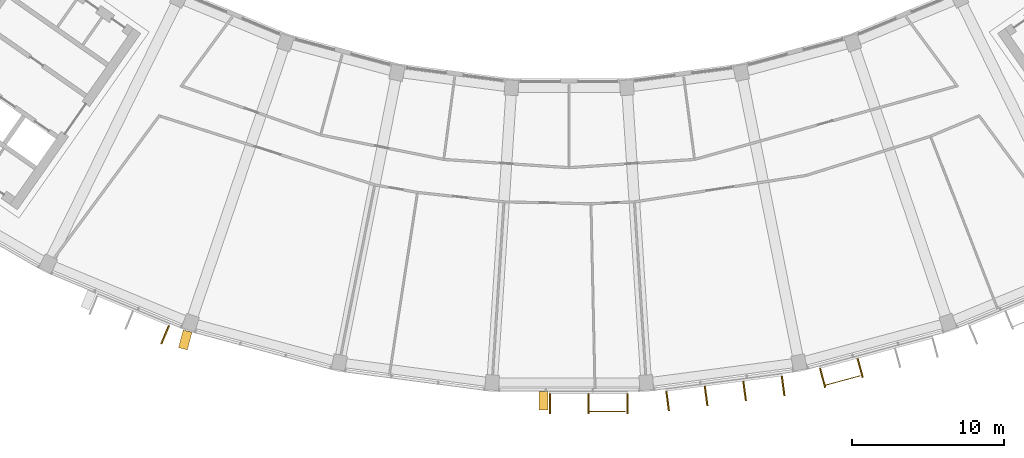
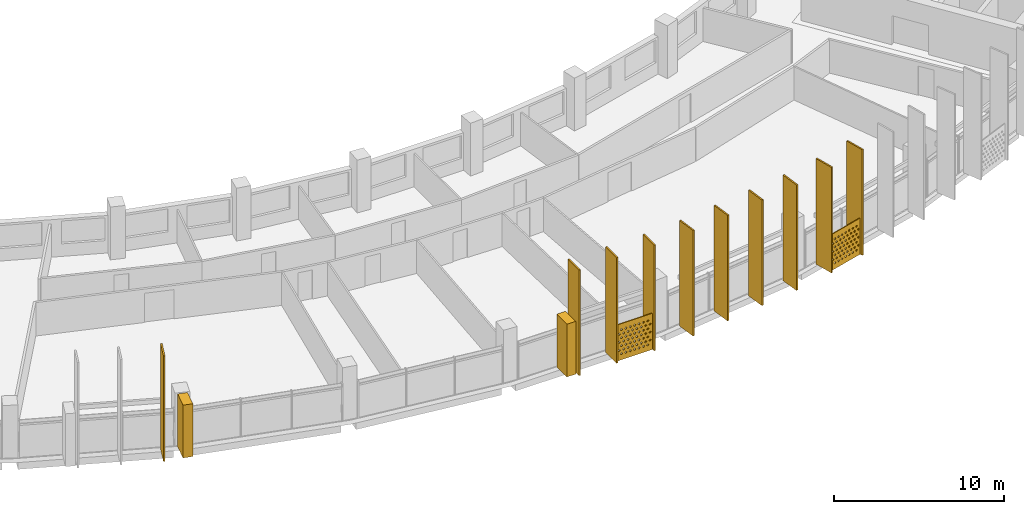
# One storey, part 25 of 28: 14 shading devices.
"""IFC4 building model written with IfcOpenShell, lengths in metres."""

from ifc_helpers import new_model, si_unit, direction, frame, origin, origin_2d, place, context, subcontext, project, spatial, polyline, rectangle, outline, extrude, material, material_profile, profile_set, type_object, element, save


model = new_model("IFC4")

# Units and contexts
model_context = context("Model", 3, precision=1e-05, world=origin(), true_north=direction((0.0, 1.0)))
body_context = subcontext(model_context, "Body", "Model", "MODEL_VIEW")
ifc_project = project(units=[si_unit("LENGTHUNIT", "METRE"), si_unit("AREAUNIT", "SQUARE_METRE"), si_unit("VOLUMEUNIT", "CUBIC_METRE"), si_unit("PLANEANGLEUNIT", "RADIAN"), si_unit("MASSUNIT", "GRAM", prefix="KILO")], contexts=[model_context])

# Site, building, storey
site_placement = place(None, origin())
site = spatial("IfcSite", under=ifc_project, at=site_placement, CompositionType="ELEMENT")
building_placement = place(site_placement, origin())
building = spatial("IfcBuilding", under=site, at=building_placement, Name="Qamariyya Broadcast Tower", CompositionType="ELEMENT")
storey_placement = place(building_placement, frame((0.0, 0.0, 273.300048828125)))
storey = spatial("IfcBuildingStorey", under=building, at=storey_placement, Name="L66", CompositionType="ELEMENT", Elevation=273.300048828125)

# Shading devices
ifc_material_1 = material(Name="Steel S355 powder coated deep red", Category="steel")
shading_device_type_1 = type_object("IfcShadingDeviceType", Name="Deep red frame, powder coated steel box section", PredefinedType="USERDEFINED", material=ifc_material_1)
shading_device_1_placement = place(storey_placement, origin())
element("IfcShadingDevice", 1, at=shading_device_1_placement, inside=storey, type_object=shading_device_type_1, Name="e-frm-B5-F3-posta-L66", ObjectType="FRAME", PredefinedType="USERDEFINED", context=body_context, shape_type="SweptSolid", body=[
    extrude(outline(polyline([(-25.474609375, -74.1142578125), (-25.78515625, -75.2734375), (-25.20556640625, -75.4287109375), (-24.89501953125, -74.26953125), (-25.474609375, -74.1142578125)])), origin(), (0.0, 0.0, 1.0), 3.800048828125),
])
shading_device_2_placement = place(storey_placement, origin())
element("IfcShadingDevice", 2, at=shading_device_2_placement, inside=storey, type_object=shading_device_type_1, Name="e-frm-B5-F3-postb-L66", ObjectType="FRAME", PredefinedType="USERDEFINED", context=body_context, shape_type="SweptSolid", body=[
    extrude(outline(polyline([(-2.008056640625, -78.18212890625), (-2.008056640625, -79.38232421875), (-1.408203125, -79.38232421875), (-1.408203125, -78.18212890625), (-2.008056640625, -78.18212890625)])), origin(), (0.0, 0.0, 1.0), 3.800048828125),
])
ifc_material_2 = material(Name="Perforated glazed terracotta", Category="masonry")
ifc_material_profile_1 = material_profile(ifc_material_2, outline(polyline([(-1.199951171875, -1.300048828125), (1.199951171875, -1.300048828125), (1.199951171875, 1.300048828125), (-1.199951171875, 1.300048828125), (-1.199951171875, -1.300048828125)]), holes=[polyline([(-0.81494140625, -0.86669921875), (-0.89990234375, -0.78173828125), (-0.985107421875, -0.86669921875), (-0.89990234375, -0.95166015625), (-0.81494140625, -0.86669921875)]), polyline([(-0.514892578125, -0.86669921875), (-0.60009765625, -0.78173828125), (-0.68505859375, -0.86669921875), (-0.60009765625, -0.95166015625), (-0.514892578125, -0.86669921875)]), polyline([(-0.215087890625, -0.86669921875), (-0.300048828125, -0.78173828125), (-0.385009765625, -0.86669921875), (-0.300048828125, -0.95166015625), (-0.215087890625, -0.86669921875)]), polyline([(0.0849609375, -0.86669921875), (0.0, -0.78173828125), (-0.0849609375, -0.86669921875), (0.0, -0.95166015625), (0.0849609375, -0.86669921875)]), polyline([(0.385009765625, -0.86669921875), (0.300048828125, -0.78173828125), (0.215087890625, -0.86669921875), (0.300048828125, -0.95166015625), (0.385009765625, -0.86669921875)]), polyline([(0.68505859375, -0.86669921875), (0.60009765625, -0.78173828125), (0.514892578125, -0.86669921875), (0.60009765625, -0.95166015625), (0.68505859375, -0.86669921875)]), polyline([(0.985107421875, -0.86669921875), (0.89990234375, -0.78173828125), (0.81494140625, -0.86669921875), (0.89990234375, -0.95166015625), (0.985107421875, -0.86669921875)]), polyline([(-0.965087890625, -0.577880859375), (-1.050048828125, -0.49267578125), (-1.135009765625, -0.577880859375), (-1.050048828125, -0.662841796875), (-0.965087890625, -0.577880859375)]), polyline([(-0.6650390625, -0.577880859375), (-0.75, -0.49267578125), (-0.8349609375, -0.577880859375), (-0.75, -0.662841796875), (-0.6650390625, -0.577880859375)]), polyline([(-0.364990234375, -0.577880859375), (-0.449951171875, -0.49267578125), (-0.534912109375, -0.577880859375), (-0.449951171875, -0.662841796875), (-0.364990234375, -0.577880859375)]), polyline([(-0.06494140625, -0.577880859375), (-0.14990234375, -0.49267578125), (-0.235107421875, -0.577880859375), (-0.14990234375, -0.662841796875), (-0.06494140625, -0.577880859375)]), polyline([(0.235107421875, -0.577880859375), (0.14990234375, -0.49267578125), (0.06494140625, -0.577880859375), (0.14990234375, -0.662841796875), (0.235107421875, -0.577880859375)]), polyline([(0.534912109375, -0.577880859375), (0.449951171875, -0.49267578125), (0.364990234375, -0.577880859375), (0.449951171875, -0.662841796875), (0.534912109375, -0.577880859375)]), polyline([(0.8349609375, -0.577880859375), (0.75, -0.49267578125), (0.6650390625, -0.577880859375), (0.75, -0.662841796875), (0.8349609375, -0.577880859375)]), polyline([(1.135009765625, -0.577880859375), (1.050048828125, -0.49267578125), (0.965087890625, -0.577880859375), (1.050048828125, -0.662841796875), (1.135009765625, -0.577880859375)]), polyline([(-0.81494140625, -0.288818359375), (-0.89990234375, -0.203857421875), (-0.985107421875, -0.288818359375), (-0.89990234375, -0.373779296875), (-0.81494140625, -0.288818359375)]), polyline([(-0.514892578125, -0.288818359375), (-0.60009765625, -0.203857421875), (-0.68505859375, -0.288818359375), (-0.60009765625, -0.373779296875), (-0.514892578125, -0.288818359375)]), polyline([(-0.215087890625, -0.288818359375), (-0.300048828125, -0.203857421875), (-0.385009765625, -0.288818359375), (-0.300048828125, -0.373779296875), (-0.215087890625, -0.288818359375)]), polyline([(0.0849609375, -0.288818359375), (0.0, -0.203857421875), (-0.0849609375, -0.288818359375), (0.0, -0.373779296875), (0.0849609375, -0.288818359375)]), polyline([(0.385009765625, -0.288818359375), (0.300048828125, -0.203857421875), (0.215087890625, -0.288818359375), (0.300048828125, -0.373779296875), (0.385009765625, -0.288818359375)]), polyline([(0.68505859375, -0.288818359375), (0.60009765625, -0.203857421875), (0.514892578125, -0.288818359375), (0.60009765625, -0.373779296875), (0.68505859375, -0.288818359375)]), polyline([(0.985107421875, -0.288818359375), (0.89990234375, -0.203857421875), (0.81494140625, -0.288818359375), (0.89990234375, -0.373779296875), (0.985107421875, -0.288818359375)]), polyline([(-0.965087890625, 0.0), (-1.050048828125, 0.0849609375), (-1.135009765625, 0.0), (-1.050048828125, -0.0849609375), (-0.965087890625, 0.0)]), polyline([(-0.6650390625, 0.0), (-0.75, 0.0849609375), (-0.8349609375, 0.0), (-0.75, -0.0849609375), (-0.6650390625, 0.0)]), polyline([(-0.364990234375, 0.0), (-0.449951171875, 0.0849609375), (-0.534912109375, 0.0), (-0.449951171875, -0.0849609375), (-0.364990234375, 0.0)]), polyline([(-0.06494140625, 0.0), (-0.14990234375, 0.0849609375), (-0.235107421875, 0.0), (-0.14990234375, -0.0849609375), (-0.06494140625, 0.0)]), polyline([(0.235107421875, 0.0), (0.14990234375, 0.0849609375), (0.06494140625, 0.0), (0.14990234375, -0.0849609375), (0.235107421875, 0.0)]), polyline([(0.534912109375, 0.0), (0.449951171875, 0.0849609375), (0.364990234375, 0.0), (0.449951171875, -0.0849609375), (0.534912109375, 0.0)]), polyline([(0.8349609375, 0.0), (0.75, 0.0849609375), (0.6650390625, 0.0), (0.75, -0.0849609375), (0.8349609375, 0.0)]), polyline([(1.135009765625, 0.0), (1.050048828125, 0.0849609375), (0.965087890625, 0.0), (1.050048828125, -0.0849609375), (1.135009765625, 0.0)]), polyline([(-0.81494140625, 0.288818359375), (-0.89990234375, 0.373779296875), (-0.985107421875, 0.288818359375), (-0.89990234375, 0.203857421875), (-0.81494140625, 0.288818359375)]), polyline([(-0.514892578125, 0.288818359375), (-0.60009765625, 0.373779296875), (-0.68505859375, 0.288818359375), (-0.60009765625, 0.203857421875), (-0.514892578125, 0.288818359375)]), polyline([(-0.215087890625, 0.288818359375), (-0.300048828125, 0.373779296875), (-0.385009765625, 0.288818359375), (-0.300048828125, 0.203857421875), (-0.215087890625, 0.288818359375)]), polyline([(0.0849609375, 0.288818359375), (0.0, 0.373779296875), (-0.0849609375, 0.288818359375), (0.0, 0.203857421875), (0.0849609375, 0.288818359375)]), polyline([(0.385009765625, 0.288818359375), (0.300048828125, 0.373779296875), (0.215087890625, 0.288818359375), (0.300048828125, 0.203857421875), (0.385009765625, 0.288818359375)]), polyline([(0.68505859375, 0.288818359375), (0.60009765625, 0.373779296875), (0.514892578125, 0.288818359375), (0.60009765625, 0.203857421875), (0.68505859375, 0.288818359375)]), polyline([(0.985107421875, 0.288818359375), (0.89990234375, 0.373779296875), (0.81494140625, 0.288818359375), (0.89990234375, 0.203857421875), (0.985107421875, 0.288818359375)]), polyline([(-0.965087890625, 0.577880859375), (-1.050048828125, 0.662841796875), (-1.135009765625, 0.577880859375), (-1.050048828125, 0.49267578125), (-0.965087890625, 0.577880859375)]), polyline([(-0.6650390625, 0.577880859375), (-0.75, 0.662841796875), (-0.8349609375, 0.577880859375), (-0.75, 0.49267578125), (-0.6650390625, 0.577880859375)]), polyline([(-0.364990234375, 0.577880859375), (-0.449951171875, 0.662841796875), (-0.534912109375, 0.577880859375), (-0.449951171875, 0.49267578125), (-0.364990234375, 0.577880859375)]), polyline([(-0.06494140625, 0.577880859375), (-0.14990234375, 0.662841796875), (-0.235107421875, 0.577880859375), (-0.14990234375, 0.49267578125), (-0.06494140625, 0.577880859375)]), polyline([(0.235107421875, 0.577880859375), (0.14990234375, 0.662841796875), (0.06494140625, 0.577880859375), (0.14990234375, 0.49267578125), (0.235107421875, 0.577880859375)]), polyline([(0.534912109375, 0.577880859375), (0.449951171875, 0.662841796875), (0.364990234375, 0.577880859375), (0.449951171875, 0.49267578125), (0.534912109375, 0.577880859375)]), polyline([(0.8349609375, 0.577880859375), (0.75, 0.662841796875), (0.6650390625, 0.577880859375), (0.75, 0.49267578125), (0.8349609375, 0.577880859375)]), polyline([(1.135009765625, 0.577880859375), (1.050048828125, 0.662841796875), (0.965087890625, 0.577880859375), (1.050048828125, 0.49267578125), (1.135009765625, 0.577880859375)]), polyline([(-0.81494140625, 0.86669921875), (-0.89990234375, 0.95166015625), (-0.985107421875, 0.86669921875), (-0.89990234375, 0.78173828125), (-0.81494140625, 0.86669921875)]), polyline([(-0.514892578125, 0.86669921875), (-0.60009765625, 0.95166015625), (-0.68505859375, 0.86669921875), (-0.60009765625, 0.78173828125), (-0.514892578125, 0.86669921875)]), polyline([(-0.215087890625, 0.86669921875), (-0.300048828125, 0.95166015625), (-0.385009765625, 0.86669921875), (-0.300048828125, 0.78173828125), (-0.215087890625, 0.86669921875)]), polyline([(0.0849609375, 0.86669921875), (0.0, 0.95166015625), (-0.0849609375, 0.86669921875), (0.0, 0.78173828125), (0.0849609375, 0.86669921875)]), polyline([(0.385009765625, 0.86669921875), (0.300048828125, 0.95166015625), (0.215087890625, 0.86669921875), (0.300048828125, 0.78173828125), (0.385009765625, 0.86669921875)]), polyline([(0.68505859375, 0.86669921875), (0.60009765625, 0.95166015625), (0.514892578125, 0.86669921875), (0.60009765625, 0.78173828125), (0.68505859375, 0.86669921875)]), polyline([(0.985107421875, 0.86669921875), (0.89990234375, 0.95166015625), (0.81494140625, 0.86669921875), (0.89990234375, 0.78173828125), (0.985107421875, 0.86669921875)])]))
ifc_profile_set_1 = profile_set([ifc_material_profile_1], Name="Perforated glazed terracotta")
shading_device_type_2 = type_object("IfcShadingDeviceType", Name="Perforated terracotta screen 2400 x 2600", PredefinedType="USERDEFINED", material=ifc_profile_set_1)
shading_device_3_placement = place(storey_placement, frame((2.531005859375, -79.4521484375, 1.349853515625), z_axis=(0.0, -1.0, 0.0), x_axis=(1.0, 0.0, 0.0)))
element("IfcShadingDevice", 3, at=shading_device_3_placement, inside=storey, type_object=shading_device_type_2, Name="e-scr-L66-07-2", ObjectType="SCREEN", PredefinedType="USERDEFINED", context=body_context, shape_type="SweptSolid", body=[
    extrude(outline(polyline([(-1.199951171875, -1.300048828125), (1.199951171875, -1.300048828125), (1.199951171875, 1.300048828125), (-1.199951171875, 1.300048828125), (-1.199951171875, -1.300048828125)]), holes=[polyline([(-0.81494140625, -0.86669921875), (-0.89990234375, -0.78173828125), (-0.985107421875, -0.86669921875), (-0.89990234375, -0.95166015625), (-0.81494140625, -0.86669921875)]), polyline([(-0.514892578125, -0.86669921875), (-0.60009765625, -0.78173828125), (-0.68505859375, -0.86669921875), (-0.60009765625, -0.95166015625), (-0.514892578125, -0.86669921875)]), polyline([(-0.215087890625, -0.86669921875), (-0.300048828125, -0.78173828125), (-0.385009765625, -0.86669921875), (-0.300048828125, -0.95166015625), (-0.215087890625, -0.86669921875)]), polyline([(0.0849609375, -0.86669921875), (0.0, -0.78173828125), (-0.0849609375, -0.86669921875), (0.0, -0.95166015625), (0.0849609375, -0.86669921875)]), polyline([(0.385009765625, -0.86669921875), (0.300048828125, -0.78173828125), (0.215087890625, -0.86669921875), (0.300048828125, -0.95166015625), (0.385009765625, -0.86669921875)]), polyline([(0.68505859375, -0.86669921875), (0.60009765625, -0.78173828125), (0.514892578125, -0.86669921875), (0.60009765625, -0.95166015625), (0.68505859375, -0.86669921875)]), polyline([(0.985107421875, -0.86669921875), (0.89990234375, -0.78173828125), (0.81494140625, -0.86669921875), (0.89990234375, -0.95166015625), (0.985107421875, -0.86669921875)]), polyline([(-0.965087890625, -0.577880859375), (-1.050048828125, -0.49267578125), (-1.135009765625, -0.577880859375), (-1.050048828125, -0.662841796875), (-0.965087890625, -0.577880859375)]), polyline([(-0.6650390625, -0.577880859375), (-0.75, -0.49267578125), (-0.8349609375, -0.577880859375), (-0.75, -0.662841796875), (-0.6650390625, -0.577880859375)]), polyline([(-0.364990234375, -0.577880859375), (-0.449951171875, -0.49267578125), (-0.534912109375, -0.577880859375), (-0.449951171875, -0.662841796875), (-0.364990234375, -0.577880859375)]), polyline([(-0.06494140625, -0.577880859375), (-0.14990234375, -0.49267578125), (-0.235107421875, -0.577880859375), (-0.14990234375, -0.662841796875), (-0.06494140625, -0.577880859375)]), polyline([(0.235107421875, -0.577880859375), (0.14990234375, -0.49267578125), (0.06494140625, -0.577880859375), (0.14990234375, -0.662841796875), (0.235107421875, -0.577880859375)]), polyline([(0.534912109375, -0.577880859375), (0.449951171875, -0.49267578125), (0.364990234375, -0.577880859375), (0.449951171875, -0.662841796875), (0.534912109375, -0.577880859375)]), polyline([(0.8349609375, -0.577880859375), (0.75, -0.49267578125), (0.6650390625, -0.577880859375), (0.75, -0.662841796875), (0.8349609375, -0.577880859375)]), polyline([(1.135009765625, -0.577880859375), (1.050048828125, -0.49267578125), (0.965087890625, -0.577880859375), (1.050048828125, -0.662841796875), (1.135009765625, -0.577880859375)]), polyline([(-0.81494140625, -0.288818359375), (-0.89990234375, -0.203857421875), (-0.985107421875, -0.288818359375), (-0.89990234375, -0.373779296875), (-0.81494140625, -0.288818359375)]), polyline([(-0.514892578125, -0.288818359375), (-0.60009765625, -0.203857421875), (-0.68505859375, -0.288818359375), (-0.60009765625, -0.373779296875), (-0.514892578125, -0.288818359375)]), polyline([(-0.215087890625, -0.288818359375), (-0.300048828125, -0.203857421875), (-0.385009765625, -0.288818359375), (-0.300048828125, -0.373779296875), (-0.215087890625, -0.288818359375)]), polyline([(0.0849609375, -0.288818359375), (0.0, -0.203857421875), (-0.0849609375, -0.288818359375), (0.0, -0.373779296875), (0.0849609375, -0.288818359375)]), polyline([(0.385009765625, -0.288818359375), (0.300048828125, -0.203857421875), (0.215087890625, -0.288818359375), (0.300048828125, -0.373779296875), (0.385009765625, -0.288818359375)]), polyline([(0.68505859375, -0.288818359375), (0.60009765625, -0.203857421875), (0.514892578125, -0.288818359375), (0.60009765625, -0.373779296875), (0.68505859375, -0.288818359375)]), polyline([(0.985107421875, -0.288818359375), (0.89990234375, -0.203857421875), (0.81494140625, -0.288818359375), (0.89990234375, -0.373779296875), (0.985107421875, -0.288818359375)]), polyline([(-0.965087890625, 0.0), (-1.050048828125, 0.0849609375), (-1.135009765625, 0.0), (-1.050048828125, -0.0849609375), (-0.965087890625, 0.0)]), polyline([(-0.6650390625, 0.0), (-0.75, 0.0849609375), (-0.8349609375, 0.0), (-0.75, -0.0849609375), (-0.6650390625, 0.0)]), polyline([(-0.364990234375, 0.0), (-0.449951171875, 0.0849609375), (-0.534912109375, 0.0), (-0.449951171875, -0.0849609375), (-0.364990234375, 0.0)]), polyline([(-0.06494140625, 0.0), (-0.14990234375, 0.0849609375), (-0.235107421875, 0.0), (-0.14990234375, -0.0849609375), (-0.06494140625, 0.0)]), polyline([(0.235107421875, 0.0), (0.14990234375, 0.0849609375), (0.06494140625, 0.0), (0.14990234375, -0.0849609375), (0.235107421875, 0.0)]), polyline([(0.534912109375, 0.0), (0.449951171875, 0.0849609375), (0.364990234375, 0.0), (0.449951171875, -0.0849609375), (0.534912109375, 0.0)]), polyline([(0.8349609375, 0.0), (0.75, 0.0849609375), (0.6650390625, 0.0), (0.75, -0.0849609375), (0.8349609375, 0.0)]), polyline([(1.135009765625, 0.0), (1.050048828125, 0.0849609375), (0.965087890625, 0.0), (1.050048828125, -0.0849609375), (1.135009765625, 0.0)]), polyline([(-0.81494140625, 0.288818359375), (-0.89990234375, 0.373779296875), (-0.985107421875, 0.288818359375), (-0.89990234375, 0.203857421875), (-0.81494140625, 0.288818359375)]), polyline([(-0.514892578125, 0.288818359375), (-0.60009765625, 0.373779296875), (-0.68505859375, 0.288818359375), (-0.60009765625, 0.203857421875), (-0.514892578125, 0.288818359375)]), polyline([(-0.215087890625, 0.288818359375), (-0.300048828125, 0.373779296875), (-0.385009765625, 0.288818359375), (-0.300048828125, 0.203857421875), (-0.215087890625, 0.288818359375)]), polyline([(0.0849609375, 0.288818359375), (0.0, 0.373779296875), (-0.0849609375, 0.288818359375), (0.0, 0.203857421875), (0.0849609375, 0.288818359375)]), polyline([(0.385009765625, 0.288818359375), (0.300048828125, 0.373779296875), (0.215087890625, 0.288818359375), (0.300048828125, 0.203857421875), (0.385009765625, 0.288818359375)]), polyline([(0.68505859375, 0.288818359375), (0.60009765625, 0.373779296875), (0.514892578125, 0.288818359375), (0.60009765625, 0.203857421875), (0.68505859375, 0.288818359375)]), polyline([(0.985107421875, 0.288818359375), (0.89990234375, 0.373779296875), (0.81494140625, 0.288818359375), (0.89990234375, 0.203857421875), (0.985107421875, 0.288818359375)]), polyline([(-0.965087890625, 0.577880859375), (-1.050048828125, 0.662841796875), (-1.135009765625, 0.577880859375), (-1.050048828125, 0.49267578125), (-0.965087890625, 0.577880859375)]), polyline([(-0.6650390625, 0.577880859375), (-0.75, 0.662841796875), (-0.8349609375, 0.577880859375), (-0.75, 0.49267578125), (-0.6650390625, 0.577880859375)]), polyline([(-0.364990234375, 0.577880859375), (-0.449951171875, 0.662841796875), (-0.534912109375, 0.577880859375), (-0.449951171875, 0.49267578125), (-0.364990234375, 0.577880859375)]), polyline([(-0.06494140625, 0.577880859375), (-0.14990234375, 0.662841796875), (-0.235107421875, 0.577880859375), (-0.14990234375, 0.49267578125), (-0.06494140625, 0.577880859375)]), polyline([(0.235107421875, 0.577880859375), (0.14990234375, 0.662841796875), (0.06494140625, 0.577880859375), (0.14990234375, 0.49267578125), (0.235107421875, 0.577880859375)]), polyline([(0.534912109375, 0.577880859375), (0.449951171875, 0.662841796875), (0.364990234375, 0.577880859375), (0.449951171875, 0.49267578125), (0.534912109375, 0.577880859375)]), polyline([(0.8349609375, 0.577880859375), (0.75, 0.662841796875), (0.6650390625, 0.577880859375), (0.75, 0.49267578125), (0.8349609375, 0.577880859375)]), polyline([(1.135009765625, 0.577880859375), (1.050048828125, 0.662841796875), (0.965087890625, 0.577880859375), (1.050048828125, 0.49267578125), (1.135009765625, 0.577880859375)]), polyline([(-0.81494140625, 0.86669921875), (-0.89990234375, 0.95166015625), (-0.985107421875, 0.86669921875), (-0.89990234375, 0.78173828125), (-0.81494140625, 0.86669921875)]), polyline([(-0.514892578125, 0.86669921875), (-0.60009765625, 0.95166015625), (-0.68505859375, 0.86669921875), (-0.60009765625, 0.78173828125), (-0.514892578125, 0.86669921875)]), polyline([(-0.215087890625, 0.86669921875), (-0.300048828125, 0.95166015625), (-0.385009765625, 0.86669921875), (-0.300048828125, 0.78173828125), (-0.215087890625, 0.86669921875)]), polyline([(0.0849609375, 0.86669921875), (0.0, 0.95166015625), (-0.0849609375, 0.86669921875), (0.0, 0.78173828125), (0.0849609375, 0.86669921875)]), polyline([(0.385009765625, 0.86669921875), (0.300048828125, 0.95166015625), (0.215087890625, 0.86669921875), (0.300048828125, 0.78173828125), (0.385009765625, 0.86669921875)]), polyline([(0.68505859375, 0.86669921875), (0.60009765625, 0.95166015625), (0.514892578125, 0.86669921875), (0.60009765625, 0.78173828125), (0.68505859375, 0.86669921875)]), polyline([(0.985107421875, 0.86669921875), (0.89990234375, 0.95166015625), (0.81494140625, 0.86669921875), (0.89990234375, 0.78173828125), (0.985107421875, 0.86669921875)])]), origin(), (0.0, 0.0, 1.0), 0.06005859375),
])
shading_device_4_placement = place(storey_placement, frame((18.058837890625, -77.416259765625, 1.349853515625), z_axis=(0.260703819255, -0.965418830677, 0.0), x_axis=(0.965418830677, 0.260703819255, 0.0)))
element("IfcShadingDevice", 4, at=shading_device_4_placement, inside=storey, type_object=shading_device_type_2, Name="e-scr-L66-09-0", ObjectType="SCREEN", PredefinedType="USERDEFINED", context=body_context, shape_type="SweptSolid", body=[
    extrude(outline(polyline([(-1.199951171875, -1.300048828125), (1.199951171875, -1.300048828125), (1.199951171875, 1.300048828125), (-1.199951171875, 1.300048828125), (-1.199951171875, -1.300048828125)]), holes=[polyline([(-0.81494140625, -0.86669921875), (-0.89990234375, -0.78173828125), (-0.985107421875, -0.86669921875), (-0.89990234375, -0.95166015625), (-0.81494140625, -0.86669921875)]), polyline([(-0.514892578125, -0.86669921875), (-0.60009765625, -0.78173828125), (-0.68505859375, -0.86669921875), (-0.60009765625, -0.95166015625), (-0.514892578125, -0.86669921875)]), polyline([(-0.215087890625, -0.86669921875), (-0.300048828125, -0.78173828125), (-0.385009765625, -0.86669921875), (-0.300048828125, -0.95166015625), (-0.215087890625, -0.86669921875)]), polyline([(0.0849609375, -0.86669921875), (0.0, -0.78173828125), (-0.0849609375, -0.86669921875), (0.0, -0.95166015625), (0.0849609375, -0.86669921875)]), polyline([(0.385009765625, -0.86669921875), (0.300048828125, -0.78173828125), (0.215087890625, -0.86669921875), (0.300048828125, -0.95166015625), (0.385009765625, -0.86669921875)]), polyline([(0.68505859375, -0.86669921875), (0.60009765625, -0.78173828125), (0.514892578125, -0.86669921875), (0.60009765625, -0.95166015625), (0.68505859375, -0.86669921875)]), polyline([(0.985107421875, -0.86669921875), (0.89990234375, -0.78173828125), (0.81494140625, -0.86669921875), (0.89990234375, -0.95166015625), (0.985107421875, -0.86669921875)]), polyline([(-0.965087890625, -0.577880859375), (-1.050048828125, -0.49267578125), (-1.135009765625, -0.577880859375), (-1.050048828125, -0.662841796875), (-0.965087890625, -0.577880859375)]), polyline([(-0.6650390625, -0.577880859375), (-0.75, -0.49267578125), (-0.8349609375, -0.577880859375), (-0.75, -0.662841796875), (-0.6650390625, -0.577880859375)]), polyline([(-0.364990234375, -0.577880859375), (-0.449951171875, -0.49267578125), (-0.534912109375, -0.577880859375), (-0.449951171875, -0.662841796875), (-0.364990234375, -0.577880859375)]), polyline([(-0.06494140625, -0.577880859375), (-0.14990234375, -0.49267578125), (-0.235107421875, -0.577880859375), (-0.14990234375, -0.662841796875), (-0.06494140625, -0.577880859375)]), polyline([(0.235107421875, -0.577880859375), (0.14990234375, -0.49267578125), (0.06494140625, -0.577880859375), (0.14990234375, -0.662841796875), (0.235107421875, -0.577880859375)]), polyline([(0.534912109375, -0.577880859375), (0.449951171875, -0.49267578125), (0.364990234375, -0.577880859375), (0.449951171875, -0.662841796875), (0.534912109375, -0.577880859375)]), polyline([(0.8349609375, -0.577880859375), (0.75, -0.49267578125), (0.6650390625, -0.577880859375), (0.75, -0.662841796875), (0.8349609375, -0.577880859375)]), polyline([(1.135009765625, -0.577880859375), (1.050048828125, -0.49267578125), (0.965087890625, -0.577880859375), (1.050048828125, -0.662841796875), (1.135009765625, -0.577880859375)]), polyline([(-0.81494140625, -0.288818359375), (-0.89990234375, -0.203857421875), (-0.985107421875, -0.288818359375), (-0.89990234375, -0.373779296875), (-0.81494140625, -0.288818359375)]), polyline([(-0.514892578125, -0.288818359375), (-0.60009765625, -0.203857421875), (-0.68505859375, -0.288818359375), (-0.60009765625, -0.373779296875), (-0.514892578125, -0.288818359375)]), polyline([(-0.215087890625, -0.288818359375), (-0.300048828125, -0.203857421875), (-0.385009765625, -0.288818359375), (-0.300048828125, -0.373779296875), (-0.215087890625, -0.288818359375)]), polyline([(0.0849609375, -0.288818359375), (0.0, -0.203857421875), (-0.0849609375, -0.288818359375), (0.0, -0.373779296875), (0.0849609375, -0.288818359375)]), polyline([(0.385009765625, -0.288818359375), (0.300048828125, -0.203857421875), (0.215087890625, -0.288818359375), (0.300048828125, -0.373779296875), (0.385009765625, -0.288818359375)]), polyline([(0.68505859375, -0.288818359375), (0.60009765625, -0.203857421875), (0.514892578125, -0.288818359375), (0.60009765625, -0.373779296875), (0.68505859375, -0.288818359375)]), polyline([(0.985107421875, -0.288818359375), (0.89990234375, -0.203857421875), (0.81494140625, -0.288818359375), (0.89990234375, -0.373779296875), (0.985107421875, -0.288818359375)]), polyline([(-0.965087890625, 0.0), (-1.050048828125, 0.0849609375), (-1.135009765625, 0.0), (-1.050048828125, -0.0849609375), (-0.965087890625, 0.0)]), polyline([(-0.6650390625, 0.0), (-0.75, 0.0849609375), (-0.8349609375, 0.0), (-0.75, -0.0849609375), (-0.6650390625, 0.0)]), polyline([(-0.364990234375, 0.0), (-0.449951171875, 0.0849609375), (-0.534912109375, 0.0), (-0.449951171875, -0.0849609375), (-0.364990234375, 0.0)]), polyline([(-0.06494140625, 0.0), (-0.14990234375, 0.0849609375), (-0.235107421875, 0.0), (-0.14990234375, -0.0849609375), (-0.06494140625, 0.0)]), polyline([(0.235107421875, 0.0), (0.14990234375, 0.0849609375), (0.06494140625, 0.0), (0.14990234375, -0.0849609375), (0.235107421875, 0.0)]), polyline([(0.534912109375, 0.0), (0.449951171875, 0.0849609375), (0.364990234375, 0.0), (0.449951171875, -0.0849609375), (0.534912109375, 0.0)]), polyline([(0.8349609375, 0.0), (0.75, 0.0849609375), (0.6650390625, 0.0), (0.75, -0.0849609375), (0.8349609375, 0.0)]), polyline([(1.135009765625, 0.0), (1.050048828125, 0.0849609375), (0.965087890625, 0.0), (1.050048828125, -0.0849609375), (1.135009765625, 0.0)]), polyline([(-0.81494140625, 0.288818359375), (-0.89990234375, 0.373779296875), (-0.985107421875, 0.288818359375), (-0.89990234375, 0.203857421875), (-0.81494140625, 0.288818359375)]), polyline([(-0.514892578125, 0.288818359375), (-0.60009765625, 0.373779296875), (-0.68505859375, 0.288818359375), (-0.60009765625, 0.203857421875), (-0.514892578125, 0.288818359375)]), polyline([(-0.215087890625, 0.288818359375), (-0.300048828125, 0.373779296875), (-0.385009765625, 0.288818359375), (-0.300048828125, 0.203857421875), (-0.215087890625, 0.288818359375)]), polyline([(0.0849609375, 0.288818359375), (0.0, 0.373779296875), (-0.0849609375, 0.288818359375), (0.0, 0.203857421875), (0.0849609375, 0.288818359375)]), polyline([(0.385009765625, 0.288818359375), (0.300048828125, 0.373779296875), (0.215087890625, 0.288818359375), (0.300048828125, 0.203857421875), (0.385009765625, 0.288818359375)]), polyline([(0.68505859375, 0.288818359375), (0.60009765625, 0.373779296875), (0.514892578125, 0.288818359375), (0.60009765625, 0.203857421875), (0.68505859375, 0.288818359375)]), polyline([(0.985107421875, 0.288818359375), (0.89990234375, 0.373779296875), (0.81494140625, 0.288818359375), (0.89990234375, 0.203857421875), (0.985107421875, 0.288818359375)]), polyline([(-0.965087890625, 0.577880859375), (-1.050048828125, 0.662841796875), (-1.135009765625, 0.577880859375), (-1.050048828125, 0.49267578125), (-0.965087890625, 0.577880859375)]), polyline([(-0.6650390625, 0.577880859375), (-0.75, 0.662841796875), (-0.8349609375, 0.577880859375), (-0.75, 0.49267578125), (-0.6650390625, 0.577880859375)]), polyline([(-0.364990234375, 0.577880859375), (-0.449951171875, 0.662841796875), (-0.534912109375, 0.577880859375), (-0.449951171875, 0.49267578125), (-0.364990234375, 0.577880859375)]), polyline([(-0.06494140625, 0.577880859375), (-0.14990234375, 0.662841796875), (-0.235107421875, 0.577880859375), (-0.14990234375, 0.49267578125), (-0.06494140625, 0.577880859375)]), polyline([(0.235107421875, 0.577880859375), (0.14990234375, 0.662841796875), (0.06494140625, 0.577880859375), (0.14990234375, 0.49267578125), (0.235107421875, 0.577880859375)]), polyline([(0.534912109375, 0.577880859375), (0.449951171875, 0.662841796875), (0.364990234375, 0.577880859375), (0.449951171875, 0.49267578125), (0.534912109375, 0.577880859375)]), polyline([(0.8349609375, 0.577880859375), (0.75, 0.662841796875), (0.6650390625, 0.577880859375), (0.75, 0.49267578125), (0.8349609375, 0.577880859375)]), polyline([(1.135009765625, 0.577880859375), (1.050048828125, 0.662841796875), (0.965087890625, 0.577880859375), (1.050048828125, 0.49267578125), (1.135009765625, 0.577880859375)]), polyline([(-0.81494140625, 0.86669921875), (-0.89990234375, 0.95166015625), (-0.985107421875, 0.86669921875), (-0.89990234375, 0.78173828125), (-0.81494140625, 0.86669921875)]), polyline([(-0.514892578125, 0.86669921875), (-0.60009765625, 0.95166015625), (-0.68505859375, 0.86669921875), (-0.60009765625, 0.78173828125), (-0.514892578125, 0.86669921875)]), polyline([(-0.215087890625, 0.86669921875), (-0.300048828125, 0.95166015625), (-0.385009765625, 0.86669921875), (-0.300048828125, 0.78173828125), (-0.215087890625, 0.86669921875)]), polyline([(0.0849609375, 0.86669921875), (0.0, 0.95166015625), (-0.0849609375, 0.86669921875), (0.0, 0.78173828125), (0.0849609375, 0.86669921875)]), polyline([(0.385009765625, 0.86669921875), (0.300048828125, 0.95166015625), (0.215087890625, 0.86669921875), (0.300048828125, 0.78173828125), (0.385009765625, 0.86669921875)]), polyline([(0.68505859375, 0.86669921875), (0.60009765625, 0.95166015625), (0.514892578125, 0.86669921875), (0.60009765625, 0.78173828125), (0.68505859375, 0.86669921875)]), polyline([(0.985107421875, 0.86669921875), (0.89990234375, 0.95166015625), (0.81494140625, 0.86669921875), (0.89990234375, 0.78173828125), (0.985107421875, 0.86669921875)])]), origin(), (0.0, 0.0, 1.0), 0.059814453125),
])
ifc_material_3 = material(Name="Glazed terracotta", Category="masonry")
ifc_material_profile_2 = material_profile(ifc_material_3, rectangle(XDim=1.300048828125, YDim=0.10009765625, at=origin_2d()))
ifc_profile_set_2 = profile_set([ifc_material_profile_2], Name="Glazed terracotta")
shading_device_type_3 = type_object("IfcShadingDeviceType", Name="Terracotta fin 100 x 1300", PredefinedType="USERDEFINED", material=ifc_profile_set_2)
for number, where, z_axis, x_axis, name in (
    (5, (-26.674560546875, -74.44091796875, 0.0), (0.0, 0.0, 1.0), (-0.382683432365, -0.923879532511, 0.0), "e-fin-L66-04-3"),
    (6, (-1.281005859375, -78.982177734375, 0.0), (0.0, 0.0, 1.0), (0.0, -1.0, 0.0), "e-fin-L66-07-1"),
    (7, (1.281005859375, -78.982177734375, 0.0), (0.0, 0.0, 1.0), (0.0, -1.0, 0.0), "e-fin-L66-07-2"),
    (8, (3.84326171875, -78.982177734375, 0.0), (0.0, 0.0, 1.0), (0.0, -1.0, 0.0), "e-fin-L66-07-3"),
    (9, (6.498779296875, -78.80810546875, 0.0), (0.0, 0.0, 1.0), (0.13052619222, -0.991444861374, 0.0), "e-fin-L66-08-0"),
    (10, (9.0390625, -78.473876953125, 0.0), (0.0, 0.0, 1.0), (0.13052619222, -0.991444861374, 0.0), "e-fin-L66-08-1"),
    (11, (11.579345703125, -78.139404296875, 0.0), (0.0, 0.0, 1.0), (0.13052619222, -0.991444861374, 0.0), "e-fin-L66-08-2"),
    (12, (14.11962890625, -77.804931640625, 0.0), (0.0, 0.0, 1.0), (0.13052619222, -0.991444861374, 0.0), "e-fin-L66-08-3"),
    (13, (16.729736328125, -77.28564453125, 0.0), (0.0, 0.0, 1.0), (0.258819045103, -0.965925826289, 0.0), "e-fin-L66-09-0"),
    (14, (19.20458984375, -76.62255859375, 0.0), (0.0, 0.0, 1.0), (0.258819045103, -0.965925826289, 0.0), "e-fin-L66-09-1"),
):
    element("IfcShadingDevice", number, at=place(storey_placement, frame(where, z_axis=z_axis, x_axis=x_axis)), inside=storey, type_object=shading_device_type_3, Name=name, ObjectType="FIN", PredefinedType="USERDEFINED", context=body_context, shape_type="SweptSolid", body=[
        extrude(rectangle(XDim=1.300048828125, YDim=0.10009765625, at=origin_2d()), origin(), (0.0, 0.0, 1.0), 7.599853515625),
    ])

save(model, "model.ifc")
